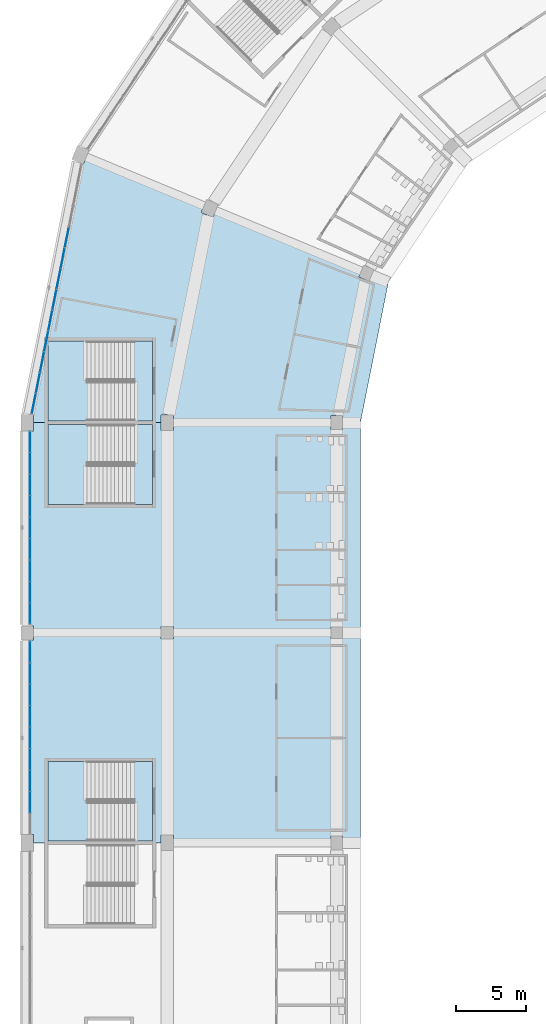
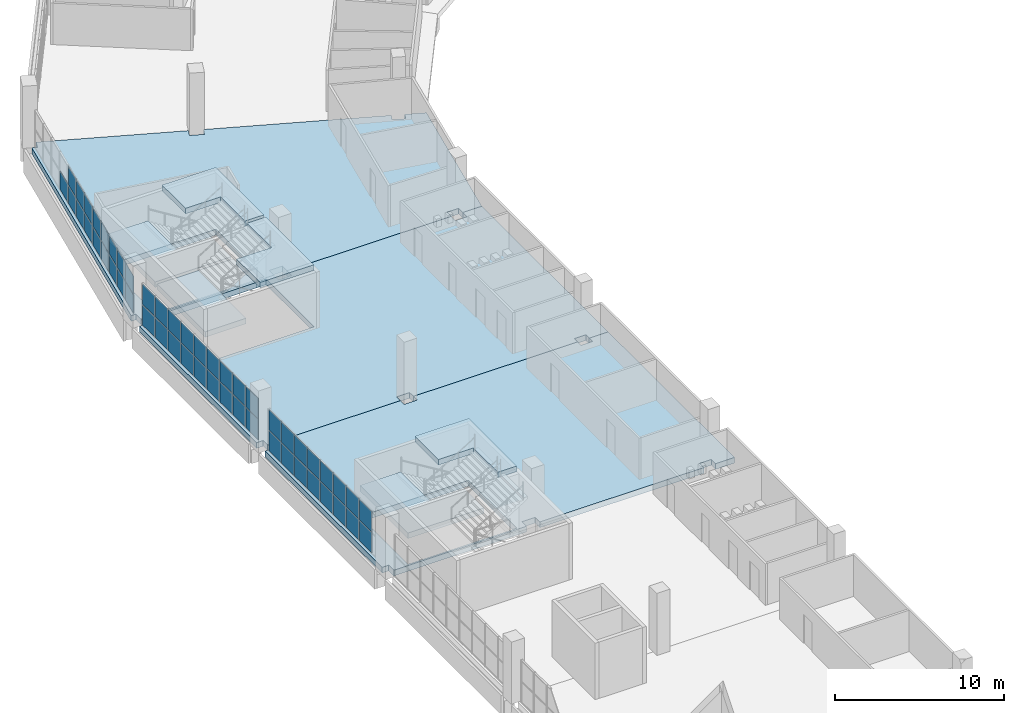
# One storey, part 67 of 199: 51 plates, 9 slabs, 6 elements without a shape of their own.
"""IFC4 building model written with IfcOpenShell, lengths in metres."""

import ifcopenshell
import ifcopenshell.guid

model = None  # the IFC model being written
_history = None  # IfcOwnerHistory: only IFC2X3 demands one
_inside = {}  # id of a spatial element -> (the spatial element, [elements in it])
_under = {}  # id of a project, library or spatial element -> (it, [spatial elements below it])
_declared = {}  # id of a project -> (the project, [libraries it declares])
_typed = {}  # id of a type object -> (the type object, [elements of that type])
_made_of = {}  # id of a material, layer set ... -> (it, [elements and type objects made of it])


def new_model(schema):
    """Start an empty IFC model of exactly this schema.

    Asked for "IFC4X3", IfcOpenShell would pick the latest addendum, in which some entities
    have other attributes; the version numbers below select the first issue.
    IFC2X3 requires an IfcOwnerHistory on every rooted entity: one is made here for all.
    """
    global model, _history
    if schema == "IFC4X3":
        model = ifcopenshell.file(schema_version=(4, 3, 0, 0))
    else:
        model = ifcopenshell.file(schema=schema)
    _inside.clear()
    _under.clear()
    _declared.clear()
    _typed.clear()
    _made_of.clear()
    _history = None
    if model.schema == "IFC2X3":
        org = make("IfcOrganization", Name="unknown")
        user = make(
            "IfcPersonAndOrganization",
            ThePerson=make("IfcPerson", FamilyName="unknown"),
            TheOrganization=org,
        )
        app = make(
            "IfcApplication",
            ApplicationDeveloper=org,
            Version="unknown",
            ApplicationFullName="unknown",
            ApplicationIdentifier="unknown",
        )
        _history = make(
            "IfcOwnerHistory",
            OwningUser=user,
            OwningApplication=app,
            ChangeAction="ADDED",
            CreationDate=0,
        )
    return model


def make(cls, **values):
    """One entity of the class cls with the attributes given. An attribute that is None is left unset."""
    return model.create_entity(
        cls, **{name: value for name, value in values.items() if value is not None}
    )


def rooted(cls, **values):
    """An entity with a GlobalId (a new one), such as an element, a storey or a relation."""
    return make(cls, GlobalId=ifcopenshell.guid.new(), OwnerHistory=_history, **values)


def si_unit(unit_type, name, prefix=None):
    """IfcSIUnit, for example si_unit("LENGTHUNIT", "METRE", prefix="MILLI")."""
    return make("IfcSIUnit", UnitType=unit_type, Prefix=prefix, Name=name)


def assignment(units):
    """IfcUnitAssignment: the units of a project."""
    return None if units is None else make("IfcUnitAssignment", Units=units)


def point(xyz):
    """IfcCartesianPoint."""
    return None if xyz is None else make("IfcCartesianPoint", Coordinates=xyz)


def direction(xyz):
    """IfcDirection."""
    return None if xyz is None else make("IfcDirection", DirectionRatios=xyz)


def frame(location, z_axis=None, x_axis=None):
    """IfcAxis2Placement3D, a coordinate frame: its origin and axes. An axis left out is left unset."""
    return make(
        "IfcAxis2Placement3D",
        Location=point(location),
        Axis=direction(z_axis),
        RefDirection=direction(x_axis),
    )


def frame_2d(location, x_axis=None):
    """IfcAxis2Placement2D, a coordinate frame in the plane: its origin and x axis."""
    return make(
        "IfcAxis2Placement2D", Location=point(location), RefDirection=direction(x_axis)
    )


def origin():
    """The frame at (0, 0, 0) with its axes left unset."""
    return frame((0.0, 0.0, 0.0))


def origin_2d():
    """The frame at (0, 0) in the plane with its x axis left unset."""
    return frame_2d((0.0, 0.0))


def place(relative_to, where):
    """IfcLocalPlacement: puts the frame where relative to a parent placement (None: the world)."""
    return make(
        "IfcLocalPlacement", PlacementRelTo=relative_to, RelativePlacement=where
    )


def context(
    kind, dimensions, precision=None, world=None, true_north=None, identifier=None
):
    """IfcGeometricRepresentationContext, for example the 3D "Model" context."""
    return make(
        "IfcGeometricRepresentationContext",
        ContextIdentifier=identifier,
        ContextType=kind,
        CoordinateSpaceDimension=dimensions,
        Precision=precision,
        WorldCoordinateSystem=world,
        TrueNorth=true_north,
    )


def subcontext(parent, identifier, kind, view, scale=None):
    """IfcGeometricRepresentationSubContext, for example "Body" below "Model"."""
    return make(
        "IfcGeometricRepresentationSubContext",
        ContextIdentifier=identifier,
        ContextType=kind,
        ParentContext=parent,
        TargetScale=scale,
        TargetView=view,
    )


def project(units=None, contexts=None):
    """IfcProject with its units and contexts."""
    return rooted(
        "IfcProject",
        Name="project",
        RepresentationContexts=contexts,
        UnitsInContext=assignment(units),
    )


def spatial(cls, under=None, at=None, **own):
    """A site, building, storey or space (cls), placed at a placement, below another one or the project."""
    s = rooted(cls, ObjectPlacement=at, **own)
    if under is not None:
        _under.setdefault(under.id(), (under, []))[1].append(s)
    return s


def polyline(points):
    """IfcPolyline through the points."""
    return make("IfcPolyline", Points=[point(p) for p in points])


def profile(cls, at=None, kind="AREA", **sizes):
    """A parametric profile (cls). Its sizes go by their IFC names, for example OverallWidth=200.0."""
    return make(cls, ProfileType=kind, Position=at, **sizes)


def rectangle(**sizes):
    """IfcRectangleProfileDef."""
    return profile("IfcRectangleProfileDef", **sizes)


def outline(outer, holes=None, kind="AREA"):
    """IfcArbitraryClosedProfileDef: a profile drawn as a closed curve; with holes, ...WithVoids."""
    if holes is None:
        return make("IfcArbitraryClosedProfileDef", ProfileType=kind, OuterCurve=outer)
    return make(
        "IfcArbitraryProfileDefWithVoids",
        ProfileType=kind,
        OuterCurve=outer,
        InnerCurves=holes,
    )


def extrude(swept, where, along, depth):
    """IfcExtrudedAreaSolid: the profile swept, set in the frame where, extruded along a direction by depth."""
    return make(
        "IfcExtrudedAreaSolid",
        SweptArea=swept,
        Position=where,
        ExtrudedDirection=direction(along),
        Depth=depth,
    )


def shape(context_of_items, identifier, shape_type, items):
    """IfcShapeRepresentation: the items that make up one representation, for example the "Body"."""
    return make(
        "IfcShapeRepresentation",
        ContextOfItems=context_of_items,
        RepresentationIdentifier=identifier,
        RepresentationType=shape_type,
        Items=items,
    )


def material(Name=None, Category=None):
    """IfcMaterial."""
    return make("IfcMaterial", Name=Name, Category=Category)


def layer(
    of_material, thickness, ventilated=None, Name=None, Category=None, Priority=None
):
    """IfcMaterialLayer: one layer of a wall or slab, of a material (None: an air gap)."""
    return make(
        "IfcMaterialLayer",
        Material=of_material,
        LayerThickness=thickness,
        IsVentilated=ventilated,
        Name=Name,
        Category=Category,
        Priority=Priority,
    )


def layer_set(layers, Name=None):
    """IfcMaterialLayerSet."""
    return make("IfcMaterialLayerSet", MaterialLayers=layers, LayerSetName=Name)


def made_of(thing, what):
    """Note that an element or type object is made of a material, layer set ...; save() writes the relation."""
    if what is not None:
        _made_of.setdefault(what.id(), (what, []))[1].append(thing)
    return thing


def type_object(cls, material=None, **own):
    """A type object (cls), such as IfcWallType, which elements share."""
    return made_of(rooted(cls, **own), material)


def element(
    cls,
    number,
    at=None,
    inside=None,
    cuts=None,
    type_object=None,
    material=None,
    context=None,
    identifier="Body",
    shape_type=None,
    held_by="IfcProductDefinitionShape",
    body=None,
    shapes=None,
    **own,
):
    """One element of the class cls, such as IfcWall. Its Tag is "e" and its number.

    at: its placement. inside: the storey or other place that contains it. cuts: it is an
    opening in that element (IfcRelVoidsElement). A single representation is given by context,
    identifier, shape_type and body (its items); several are given by shapes. held_by: the class
    of the entity that holds the representations. save() writes the other relations.
    """
    e = rooted(cls, Tag="e%d" % number, ObjectPlacement=at, **own)
    if body is not None:
        shapes = [shape(context, identifier, shape_type, body)]
    if shapes is not None:
        e.Representation = make(held_by, Representations=shapes)
    if inside is not None:
        _inside.setdefault(inside.id(), (inside, []))[1].append(e)
    if cuts is not None:
        rooted(
            "IfcRelVoidsElement", RelatingBuildingElement=cuts, RelatedOpeningElement=e
        )
    if type_object is not None:
        _typed.setdefault(type_object.id(), (type_object, []))[1].append(e)
    return made_of(e, material)


def aggregate(whole, parts):
    """IfcRelAggregates: a whole, such as a stair, and the parts it consists of."""
    return rooted("IfcRelAggregates", RelatingObject=whole, RelatedObjects=parts)


def save(model, path):
    """Write the relations noted so far, then the file.

    IfcRelAggregates (storeys below a building ...), IfcRelContainedInSpatialStructure (elements
    in a storey), IfcRelDefinesByType, IfcRelAssociatesMaterial and IfcRelDeclares: one each for
    every whole, place, type object, material and project.
    """
    for whole, parts in _under.values():
        aggregate(whole, parts)
    for where, things in _inside.values():
        rooted(
            "IfcRelContainedInSpatialStructure",
            RelatedElements=things,
            RelatingStructure=where,
        )
    for kind, things in _typed.values():
        rooted("IfcRelDefinesByType", RelatedObjects=things, RelatingType=kind)
    for what, things in _made_of.values():
        rooted("IfcRelAssociatesMaterial", RelatedObjects=things, RelatingMaterial=what)
    for by, libraries in _declared.values():
        rooted("IfcRelDeclares", RelatingContext=by, RelatedDefinitions=libraries)
    model.write(path)


model = new_model("IFC4")

# Units and contexts
model_context = context("Model", 3, precision=1e-05, world=origin(), true_north=direction((0.0, 1.0)))
body_context = subcontext(model_context, "Body", "Model", "MODEL_VIEW")
ifc_project = project(units=[si_unit("LENGTHUNIT", "METRE"), si_unit("AREAUNIT", "SQUARE_METRE"), si_unit("VOLUMEUNIT", "CUBIC_METRE"), si_unit("PLANEANGLEUNIT", "RADIAN"), si_unit("MASSUNIT", "GRAM", prefix="KILO")], contexts=[model_context])

# Site, building, storey
site_placement = place(None, origin())
site = spatial("IfcSite", under=ifc_project, at=site_placement, CompositionType="ELEMENT")
building_placement = place(site_placement, origin())
building = spatial("IfcBuilding", under=site, at=building_placement, Name="Ogive Plaza Stadium", CompositionType="ELEMENT")
storey_placement = place(building_placement, frame((0.0, 0.0, 4.5)))
storey = spatial("IfcBuildingStorey", under=building, at=storey_placement, Name="L01", CompositionType="ELEMENT", Elevation=4.5)

# Curtain wall, plates
ifc_material_1 = material(Name="Bronze-anodised aluminium with laminated glass", Category="aluminium")
curtain_wall_type = type_object("IfcCurtainWallType", Name="Lancet curtain wall", PredefinedType="NOTDEFINED", material=ifc_material_1)
curtain_wall_1_placement = place(storey_placement, origin())
curtain_wall_1 = element("IfcCurtainWall", 1, at=curtain_wall_1_placement, inside=storey, type_object=curtain_wall_type, Name="CURTAIN WALL B26 L01", PredefinedType="NOTDEFINED")
ifc_material_2 = material(Name="Laminated glass", Category="glass")
ifc_layer_1 = layer(ifc_material_2, 0.028076171875)
ifc_layer_set_1 = layer_set([ifc_layer_1], Name="Laminated glass panel 28")
plate_type = type_object("IfcPlateType", Name="Laminated glass panel 28", PredefinedType="CURTAIN_PANEL", material=ifc_layer_set_1)
plate_1_placement = place(storey_placement, frame((-83.800048828125, 25.39990234375, 0.0498046875), z_axis=(0.0, 0.0, 1.0), x_axis=(0.0, 1.0, 0.0)))
plate_1 = element("IfcPlate", 2, at=plate_1_placement, type_object=plate_type, Name="CW-B26-L01 panel 2.1", PredefinedType="CURTAIN_PANEL", context=body_context, shape_type="SweptSolid", body=[
    extrude(rectangle(XDim=1.4833984375, YDim=0.028076171875, at=origin_2d()), origin(), (0.0, 0.0, 1.0), 1.469970703125),
])
plate_2_placement = place(storey_placement, frame((-83.800048828125, 25.39990234375, 1.56982421875), z_axis=(0.0, 0.0, 1.0), x_axis=(0.0, 1.0, 0.0)))
plate_2 = element("IfcPlate", 3, at=plate_2_placement, type_object=plate_type, Name="CW-B26-L01 panel 2.2", PredefinedType="CURTAIN_PANEL", context=body_context, shape_type="SweptSolid", body=[
    extrude(rectangle(XDim=1.4833984375, YDim=0.028076171875, at=origin_2d()), origin(), (0.0, 0.0, 1.0), 1.469970703125),
])
plate_3_placement = place(storey_placement, frame((-83.800048828125, 26.933349609375, 0.0498046875), z_axis=(0.0, 0.0, 1.0), x_axis=(0.0, 1.0, 0.0)))
plate_3 = element("IfcPlate", 4, at=plate_3_placement, type_object=plate_type, Name="CW-B26-L01 panel 3.1", PredefinedType="CURTAIN_PANEL", context=body_context, shape_type="SweptSolid", body=[
    extrude(rectangle(XDim=1.4833984375, YDim=0.028076171875, at=origin_2d()), origin(), (0.0, 0.0, 1.0), 1.469970703125),
])
plate_4_placement = place(storey_placement, frame((-83.800048828125, 26.933349609375, 1.56982421875), z_axis=(0.0, 0.0, 1.0), x_axis=(0.0, 1.0, 0.0)))
plate_4 = element("IfcPlate", 5, at=plate_4_placement, type_object=plate_type, Name="CW-B26-L01 panel 3.2", PredefinedType="CURTAIN_PANEL", context=body_context, shape_type="SweptSolid", body=[
    extrude(rectangle(XDim=1.4833984375, YDim=0.028076171875, at=origin_2d()), origin(), (0.0, 0.0, 1.0), 1.469970703125),
])
plate_5_placement = place(storey_placement, frame((-83.800048828125, 28.466552734375, 0.0498046875), z_axis=(0.0, 0.0, 1.0), x_axis=(0.0, 1.0, 0.0)))
plate_5 = element("IfcPlate", 6, at=plate_5_placement, type_object=plate_type, Name="CW-B26-L01 panel 4.1", PredefinedType="CURTAIN_PANEL", context=body_context, shape_type="SweptSolid", body=[
    extrude(rectangle(XDim=1.4833984375, YDim=0.028076171875, at=origin_2d()), origin(), (0.0, 0.0, 1.0), 1.469970703125),
])
plate_6_placement = place(storey_placement, frame((-83.800048828125, 28.466552734375, 1.56982421875), z_axis=(0.0, 0.0, 1.0), x_axis=(0.0, 1.0, 0.0)))
plate_6 = element("IfcPlate", 7, at=plate_6_placement, type_object=plate_type, Name="CW-B26-L01 panel 4.2", PredefinedType="CURTAIN_PANEL", context=body_context, shape_type="SweptSolid", body=[
    extrude(rectangle(XDim=1.4833984375, YDim=0.028076171875, at=origin_2d()), origin(), (0.0, 0.0, 1.0), 1.469970703125),
])
plate_7_placement = place(storey_placement, frame((-83.800048828125, 30.0, 0.0498046875), z_axis=(0.0, 0.0, 1.0), x_axis=(0.0, 1.0, 0.0)))
plate_7 = element("IfcPlate", 8, at=plate_7_placement, type_object=plate_type, Name="CW-B26-L01 panel 5.1", PredefinedType="CURTAIN_PANEL", context=body_context, shape_type="SweptSolid", body=[
    extrude(rectangle(XDim=1.4833984375, YDim=0.028076171875, at=origin_2d()), origin(), (0.0, 0.0, 1.0), 1.469970703125),
])
plate_8_placement = place(storey_placement, frame((-83.800048828125, 30.0, 1.56982421875), z_axis=(0.0, 0.0, 1.0), x_axis=(0.0, 1.0, 0.0)))
plate_8 = element("IfcPlate", 9, at=plate_8_placement, type_object=plate_type, Name="CW-B26-L01 panel 5.2", PredefinedType="CURTAIN_PANEL", context=body_context, shape_type="SweptSolid", body=[
    extrude(rectangle(XDim=1.4833984375, YDim=0.028076171875, at=origin_2d()), origin(), (0.0, 0.0, 1.0), 1.469970703125),
])
plate_9_placement = place(storey_placement, frame((-83.800048828125, 31.533447265625, 0.0498046875), z_axis=(0.0, 0.0, 1.0), x_axis=(0.0, 1.0, 0.0)))
plate_9 = element("IfcPlate", 10, at=plate_9_placement, type_object=plate_type, Name="CW-B26-L01 panel 6.1", PredefinedType="CURTAIN_PANEL", context=body_context, shape_type="SweptSolid", body=[
    extrude(rectangle(XDim=1.4833984375, YDim=0.028076171875, at=origin_2d()), origin(), (0.0, 0.0, 1.0), 1.469970703125),
])
plate_10_placement = place(storey_placement, frame((-83.800048828125, 31.533447265625, 1.56982421875), z_axis=(0.0, 0.0, 1.0), x_axis=(0.0, 1.0, 0.0)))
plate_10 = element("IfcPlate", 11, at=plate_10_placement, type_object=plate_type, Name="CW-B26-L01 panel 6.2", PredefinedType="CURTAIN_PANEL", context=body_context, shape_type="SweptSolid", body=[
    extrude(rectangle(XDim=1.4833984375, YDim=0.028076171875, at=origin_2d()), origin(), (0.0, 0.0, 1.0), 1.469970703125),
])
plate_11_placement = place(storey_placement, frame((-83.800048828125, 33.066650390625, 0.0498046875), z_axis=(0.0, 0.0, 1.0), x_axis=(0.0, 1.0, 0.0)))
plate_11 = element("IfcPlate", 12, at=plate_11_placement, type_object=plate_type, Name="CW-B26-L01 panel 7.1", PredefinedType="CURTAIN_PANEL", context=body_context, shape_type="SweptSolid", body=[
    extrude(rectangle(XDim=1.4833984375, YDim=0.028076171875, at=origin_2d()), origin(), (0.0, 0.0, 1.0), 1.469970703125),
])
plate_12_placement = place(storey_placement, frame((-83.800048828125, 33.066650390625, 1.56982421875), z_axis=(0.0, 0.0, 1.0), x_axis=(0.0, 1.0, 0.0)))
plate_12 = element("IfcPlate", 13, at=plate_12_placement, type_object=plate_type, Name="CW-B26-L01 panel 7.2", PredefinedType="CURTAIN_PANEL", context=body_context, shape_type="SweptSolid", body=[
    extrude(rectangle(XDim=1.4833984375, YDim=0.028076171875, at=origin_2d()), origin(), (0.0, 0.0, 1.0), 1.469970703125),
])
plate_13_placement = place(storey_placement, frame((-83.800048828125, 34.60009765625, 0.0498046875), z_axis=(0.0, 0.0, 1.0), x_axis=(0.0, 1.0, 0.0)))
plate_13 = element("IfcPlate", 14, at=plate_13_placement, type_object=plate_type, Name="CW-B26-L01 panel 8.1", PredefinedType="CURTAIN_PANEL", context=body_context, shape_type="SweptSolid", body=[
    extrude(rectangle(XDim=1.4833984375, YDim=0.028076171875, at=origin_2d()), origin(), (0.0, 0.0, 1.0), 1.469970703125),
])
plate_14_placement = place(storey_placement, frame((-83.800048828125, 34.60009765625, 1.56982421875), z_axis=(0.0, 0.0, 1.0), x_axis=(0.0, 1.0, 0.0)))
plate_14 = element("IfcPlate", 15, at=plate_14_placement, type_object=plate_type, Name="CW-B26-L01 panel 8.2", PredefinedType="CURTAIN_PANEL", context=body_context, shape_type="SweptSolid", body=[
    extrude(rectangle(XDim=1.4833984375, YDim=0.028076171875, at=origin_2d()), origin(), (0.0, 0.0, 1.0), 1.469970703125),
])
plate_15_placement = place(storey_placement, frame((-83.800048828125, 36.120849609375, 0.0498046875), z_axis=(0.0, 0.0, 1.0), x_axis=(0.0, 1.0, 0.0)))
plate_15 = element("IfcPlate", 16, at=plate_15_placement, type_object=plate_type, Name="CW-B26-L01 panel 9.1", PredefinedType="CURTAIN_PANEL", context=body_context, shape_type="SweptSolid", body=[
    extrude(rectangle(XDim=1.458251953125, YDim=0.028076171875, at=origin_2d()), origin(), (0.0, 0.0, 1.0), 1.469970703125),
])
plate_16_placement = place(storey_placement, frame((-83.800048828125, 36.120849609375, 1.56982421875), z_axis=(0.0, 0.0, 1.0), x_axis=(0.0, 1.0, 0.0)))
plate_16 = element("IfcPlate", 17, at=plate_16_placement, type_object=plate_type, Name="CW-B26-L01 panel 9.2", PredefinedType="CURTAIN_PANEL", context=body_context, shape_type="SweptSolid", body=[
    extrude(rectangle(XDim=1.458251953125, YDim=0.028076171875, at=origin_2d()), origin(), (0.0, 0.0, 1.0), 1.469970703125),
])
aggregate(curtain_wall_1, [plate_1, plate_2, plate_3, plate_4, plate_5, plate_6, plate_7, plate_8, plate_9, plate_10, plate_11, plate_12, plate_13, plate_14, plate_15, plate_16])

curtain_wall_2_placement = place(storey_placement, origin())
curtain_wall_2 = element("IfcCurtainWall", 18, at=curtain_wall_2_placement, inside=storey, type_object=curtain_wall_type, Name="CURTAIN WALL B27 L01", PredefinedType="NOTDEFINED")
plate_17_placement = place(storey_placement, frame((-83.800048828125, 38.879150390625, 0.0498046875), z_axis=(0.0, 0.0, 1.0), x_axis=(0.0, 1.0, 0.0)))
plate_17 = element("IfcPlate", 19, at=plate_17_placement, type_object=plate_type, Name="CW-B27-L01 panel 1.1", PredefinedType="CURTAIN_PANEL", context=body_context, shape_type="SweptSolid", body=[
    extrude(rectangle(XDim=1.458251953125, YDim=0.028076171875, at=origin_2d()), origin(), (0.0, 0.0, 1.0), 1.469970703125),
])
plate_18_placement = place(storey_placement, frame((-83.800048828125, 38.879150390625, 1.56982421875), z_axis=(0.0, 0.0, 1.0), x_axis=(0.0, 1.0, 0.0)))
plate_18 = element("IfcPlate", 20, at=plate_18_placement, type_object=plate_type, Name="CW-B27-L01 panel 1.2", PredefinedType="CURTAIN_PANEL", context=body_context, shape_type="SweptSolid", body=[
    extrude(rectangle(XDim=1.458251953125, YDim=0.028076171875, at=origin_2d()), origin(), (0.0, 0.0, 1.0), 1.469970703125),
])
plate_19_placement = place(storey_placement, frame((-83.800048828125, 40.39990234375, 0.0498046875), z_axis=(0.0, 0.0, 1.0), x_axis=(0.0, 1.0, 0.0)))
plate_19 = element("IfcPlate", 21, at=plate_19_placement, type_object=plate_type, Name="CW-B27-L01 panel 2.1", PredefinedType="CURTAIN_PANEL", context=body_context, shape_type="SweptSolid", body=[
    extrude(rectangle(XDim=1.4833984375, YDim=0.028076171875, at=origin_2d()), origin(), (0.0, 0.0, 1.0), 1.469970703125),
])
plate_20_placement = place(storey_placement, frame((-83.800048828125, 40.39990234375, 1.56982421875), z_axis=(0.0, 0.0, 1.0), x_axis=(0.0, 1.0, 0.0)))
plate_20 = element("IfcPlate", 22, at=plate_20_placement, type_object=plate_type, Name="CW-B27-L01 panel 2.2", PredefinedType="CURTAIN_PANEL", context=body_context, shape_type="SweptSolid", body=[
    extrude(rectangle(XDim=1.4833984375, YDim=0.028076171875, at=origin_2d()), origin(), (0.0, 0.0, 1.0), 1.469970703125),
])
plate_21_placement = place(storey_placement, frame((-83.800048828125, 41.933349609375, 0.0498046875), z_axis=(0.0, 0.0, 1.0), x_axis=(0.0, 1.0, 0.0)))
plate_21 = element("IfcPlate", 23, at=plate_21_placement, type_object=plate_type, Name="CW-B27-L01 panel 3.1", PredefinedType="CURTAIN_PANEL", context=body_context, shape_type="SweptSolid", body=[
    extrude(rectangle(XDim=1.4833984375, YDim=0.028076171875, at=origin_2d()), origin(), (0.0, 0.0, 1.0), 1.469970703125),
])
plate_22_placement = place(storey_placement, frame((-83.800048828125, 41.933349609375, 1.56982421875), z_axis=(0.0, 0.0, 1.0), x_axis=(0.0, 1.0, 0.0)))
plate_22 = element("IfcPlate", 24, at=plate_22_placement, type_object=plate_type, Name="CW-B27-L01 panel 3.2", PredefinedType="CURTAIN_PANEL", context=body_context, shape_type="SweptSolid", body=[
    extrude(rectangle(XDim=1.4833984375, YDim=0.028076171875, at=origin_2d()), origin(), (0.0, 0.0, 1.0), 1.469970703125),
])
plate_23_placement = place(storey_placement, frame((-83.800048828125, 43.466552734375, 0.0498046875), z_axis=(0.0, 0.0, 1.0), x_axis=(0.0, 1.0, 0.0)))
plate_23 = element("IfcPlate", 25, at=plate_23_placement, type_object=plate_type, Name="CW-B27-L01 panel 4.1", PredefinedType="CURTAIN_PANEL", context=body_context, shape_type="SweptSolid", body=[
    extrude(rectangle(XDim=1.4833984375, YDim=0.028076171875, at=origin_2d()), origin(), (0.0, 0.0, 1.0), 1.469970703125),
])
plate_24_placement = place(storey_placement, frame((-83.800048828125, 43.466552734375, 1.56982421875), z_axis=(0.0, 0.0, 1.0), x_axis=(0.0, 1.0, 0.0)))
plate_24 = element("IfcPlate", 26, at=plate_24_placement, type_object=plate_type, Name="CW-B27-L01 panel 4.2", PredefinedType="CURTAIN_PANEL", context=body_context, shape_type="SweptSolid", body=[
    extrude(rectangle(XDim=1.4833984375, YDim=0.028076171875, at=origin_2d()), origin(), (0.0, 0.0, 1.0), 1.469970703125),
])
plate_25_placement = place(storey_placement, frame((-83.800048828125, 45.0, 0.0498046875), z_axis=(0.0, 0.0, 1.0), x_axis=(0.0, 1.0, 0.0)))
plate_25 = element("IfcPlate", 27, at=plate_25_placement, type_object=plate_type, Name="CW-B27-L01 panel 5.1", PredefinedType="CURTAIN_PANEL", context=body_context, shape_type="SweptSolid", body=[
    extrude(rectangle(XDim=1.4833984375, YDim=0.028076171875, at=origin_2d()), origin(), (0.0, 0.0, 1.0), 1.469970703125),
])
plate_26_placement = place(storey_placement, frame((-83.800048828125, 45.0, 1.56982421875), z_axis=(0.0, 0.0, 1.0), x_axis=(0.0, 1.0, 0.0)))
plate_26 = element("IfcPlate", 28, at=plate_26_placement, type_object=plate_type, Name="CW-B27-L01 panel 5.2", PredefinedType="CURTAIN_PANEL", context=body_context, shape_type="SweptSolid", body=[
    extrude(rectangle(XDim=1.4833984375, YDim=0.028076171875, at=origin_2d()), origin(), (0.0, 0.0, 1.0), 1.469970703125),
])
plate_27_placement = place(storey_placement, frame((-83.800048828125, 46.533447265625, 0.0498046875), z_axis=(0.0, 0.0, 1.0), x_axis=(0.0, 1.0, 0.0)))
plate_27 = element("IfcPlate", 29, at=plate_27_placement, type_object=plate_type, Name="CW-B27-L01 panel 6.1", PredefinedType="CURTAIN_PANEL", context=body_context, shape_type="SweptSolid", body=[
    extrude(rectangle(XDim=1.4833984375, YDim=0.028076171875, at=origin_2d()), origin(), (0.0, 0.0, 1.0), 1.469970703125),
])
plate_28_placement = place(storey_placement, frame((-83.800048828125, 46.533447265625, 1.56982421875), z_axis=(0.0, 0.0, 1.0), x_axis=(0.0, 1.0, 0.0)))
plate_28 = element("IfcPlate", 30, at=plate_28_placement, type_object=plate_type, Name="CW-B27-L01 panel 6.2", PredefinedType="CURTAIN_PANEL", context=body_context, shape_type="SweptSolid", body=[
    extrude(rectangle(XDim=1.4833984375, YDim=0.028076171875, at=origin_2d()), origin(), (0.0, 0.0, 1.0), 1.469970703125),
])
plate_29_placement = place(storey_placement, frame((-83.800048828125, 48.066650390625, 0.0498046875), z_axis=(0.0, 0.0, 1.0), x_axis=(0.0, 1.0, 0.0)))
plate_29 = element("IfcPlate", 31, at=plate_29_placement, type_object=plate_type, Name="CW-B27-L01 panel 7.1", PredefinedType="CURTAIN_PANEL", context=body_context, shape_type="SweptSolid", body=[
    extrude(rectangle(XDim=1.4833984375, YDim=0.028076171875, at=origin_2d()), origin(), (0.0, 0.0, 1.0), 1.469970703125),
])
plate_30_placement = place(storey_placement, frame((-83.800048828125, 48.066650390625, 1.56982421875), z_axis=(0.0, 0.0, 1.0), x_axis=(0.0, 1.0, 0.0)))
plate_30 = element("IfcPlate", 32, at=plate_30_placement, type_object=plate_type, Name="CW-B27-L01 panel 7.2", PredefinedType="CURTAIN_PANEL", context=body_context, shape_type="SweptSolid", body=[
    extrude(rectangle(XDim=1.4833984375, YDim=0.028076171875, at=origin_2d()), origin(), (0.0, 0.0, 1.0), 1.469970703125),
])
plate_31_placement = place(storey_placement, frame((-83.800048828125, 49.60009765625, 0.0498046875), z_axis=(0.0, 0.0, 1.0), x_axis=(0.0, 1.0, 0.0)))
plate_31 = element("IfcPlate", 33, at=plate_31_placement, type_object=plate_type, Name="CW-B27-L01 panel 8.1", PredefinedType="CURTAIN_PANEL", context=body_context, shape_type="SweptSolid", body=[
    extrude(rectangle(XDim=1.4833984375, YDim=0.028076171875, at=origin_2d()), origin(), (0.0, 0.0, 1.0), 1.469970703125),
])
plate_32_placement = place(storey_placement, frame((-83.800048828125, 49.60009765625, 1.56982421875), z_axis=(0.0, 0.0, 1.0), x_axis=(0.0, 1.0, 0.0)))
plate_32 = element("IfcPlate", 34, at=plate_32_placement, type_object=plate_type, Name="CW-B27-L01 panel 8.2", PredefinedType="CURTAIN_PANEL", context=body_context, shape_type="SweptSolid", body=[
    extrude(rectangle(XDim=1.4833984375, YDim=0.028076171875, at=origin_2d()), origin(), (0.0, 0.0, 1.0), 1.469970703125),
])
plate_33_placement = place(storey_placement, frame((-83.800048828125, 51.120849609375, 0.0498046875), z_axis=(0.0, 0.0, 1.0), x_axis=(0.0, 1.0, 0.0)))
plate_33 = element("IfcPlate", 35, at=plate_33_placement, type_object=plate_type, Name="CW-B27-L01 panel 9.1", PredefinedType="CURTAIN_PANEL", context=body_context, shape_type="SweptSolid", body=[
    extrude(rectangle(XDim=1.458251953125, YDim=0.028076171875, at=origin_2d()), origin(), (0.0, 0.0, 1.0), 1.469970703125),
])
plate_34_placement = place(storey_placement, frame((-83.800048828125, 51.120849609375, 1.56982421875), z_axis=(0.0, 0.0, 1.0), x_axis=(0.0, 1.0, 0.0)))
plate_34 = element("IfcPlate", 36, at=plate_34_placement, type_object=plate_type, Name="CW-B27-L01 panel 9.2", PredefinedType="CURTAIN_PANEL", context=body_context, shape_type="SweptSolid", body=[
    extrude(rectangle(XDim=1.458251953125, YDim=0.028076171875, at=origin_2d()), origin(), (0.0, 0.0, 1.0), 1.469970703125),
])
aggregate(curtain_wall_2, [plate_17, plate_18, plate_19, plate_20, plate_21, plate_22, plate_23, plate_24, plate_25, plate_26, plate_27, plate_28, plate_29, plate_30, plate_31, plate_32, plate_33, plate_34])

curtain_wall_3_placement = place(storey_placement, origin())
curtain_wall_3 = element("IfcCurtainWall", 37, at=curtain_wall_3_placement, inside=storey, type_object=curtain_wall_type, Name="CURTAIN WALL B28 L01", PredefinedType="NOTDEFINED")
plate_35_placement = place(storey_placement, frame((-83.522705078125, 53.874267578125, 0.0498046875), z_axis=(0.0, 0.0, 1.0), x_axis=(0.195090322016, 0.980785280403, 0.0)))
plate_35 = element("IfcPlate", 38, at=plate_35_placement, type_object=plate_type, Name="CW-B28-L01 panel 1.1", PredefinedType="CURTAIN_PANEL", context=body_context, shape_type="SweptSolid", body=[
    extrude(rectangle(XDim=1.43896484375, YDim=0.028076171875, at=origin_2d()), origin(), (0.0, 0.0, 1.0), 1.320068359375),
])
plate_36_placement = place(storey_placement, frame((-83.522705078125, 53.874267578125, 1.419921875), z_axis=(0.0, 0.0, 1.0), x_axis=(0.195090322016, 0.980785280403, 0.0)))
plate_36 = element("IfcPlate", 39, at=plate_36_placement, type_object=plate_type, Name="CW-B28-L01 panel 1.2", PredefinedType="CURTAIN_PANEL", context=body_context, shape_type="SweptSolid", body=[
    extrude(rectangle(XDim=1.43896484375, YDim=0.028076171875, at=origin_2d()), origin(), (0.0, 0.0, 1.0), 1.320068359375),
])
plate_37_placement = place(storey_placement, frame((-83.229736328125, 55.3466796875, 0.0498046875), z_axis=(0.0, 0.0, 1.0), x_axis=(0.195090322016, 0.980785280403, 0.0)))
plate_37 = element("IfcPlate", 40, at=plate_37_placement, type_object=plate_type, Name="CW-B28-L01 panel 2.1", PredefinedType="CURTAIN_PANEL", context=body_context, shape_type="SweptSolid", body=[
    extrude(rectangle(XDim=1.4638671875, YDim=0.028076171875, at=origin_2d()), origin(), (0.0, 0.0, 1.0), 1.320068359375),
])
plate_38_placement = place(storey_placement, frame((-83.229736328125, 55.3466796875, 1.419921875), z_axis=(0.0, 0.0, 1.0), x_axis=(0.195090322016, 0.980785280403, 0.0)))
plate_38 = element("IfcPlate", 41, at=plate_38_placement, type_object=plate_type, Name="CW-B28-L01 panel 2.2", PredefinedType="CURTAIN_PANEL", context=body_context, shape_type="SweptSolid", body=[
    extrude(rectangle(XDim=1.4638671875, YDim=0.028076171875, at=origin_2d()), origin(), (0.0, 0.0, 1.0), 1.320068359375),
])
plate_39_placement = place(storey_placement, frame((-82.9345703125, 56.831298828125, 0.0498046875), z_axis=(0.0, 0.0, 1.0), x_axis=(0.195090322016, 0.980785280403, 0.0)))
plate_39 = element("IfcPlate", 42, at=plate_39_placement, type_object=plate_type, Name="CW-B28-L01 panel 3.1", PredefinedType="CURTAIN_PANEL", context=body_context, shape_type="SweptSolid", body=[
    extrude(rectangle(XDim=1.4638671875, YDim=0.028076171875, at=origin_2d()), origin(), (0.0, 0.0, 1.0), 1.320068359375),
])
plate_40_placement = place(storey_placement, frame((-82.9345703125, 56.831298828125, 1.419921875), z_axis=(0.0, 0.0, 1.0), x_axis=(0.195090322016, 0.980785280403, 0.0)))
plate_40 = element("IfcPlate", 43, at=plate_40_placement, type_object=plate_type, Name="CW-B28-L01 panel 3.2", PredefinedType="CURTAIN_PANEL", context=body_context, shape_type="SweptSolid", body=[
    extrude(rectangle(XDim=1.4638671875, YDim=0.028076171875, at=origin_2d()), origin(), (0.0, 0.0, 1.0), 1.320068359375),
])
plate_41_placement = place(storey_placement, frame((-82.63916015625, 58.316162109375, 0.0498046875), z_axis=(0.0, 0.0, 1.0), x_axis=(0.195090322016, 0.980785280403, 0.0)))
plate_41 = element("IfcPlate", 44, at=plate_41_placement, type_object=plate_type, Name="CW-B28-L01 panel 4.1", PredefinedType="CURTAIN_PANEL", context=body_context, shape_type="SweptSolid", body=[
    extrude(rectangle(XDim=1.4638671875, YDim=0.028076171875, at=origin_2d()), origin(), (0.0, 0.0, 1.0), 1.320068359375),
])
plate_42_placement = place(storey_placement, frame((-82.63916015625, 58.316162109375, 1.419921875), z_axis=(0.0, 0.0, 1.0), x_axis=(0.195090322016, 0.980785280403, 0.0)))
plate_42 = element("IfcPlate", 45, at=plate_42_placement, type_object=plate_type, Name="CW-B28-L01 panel 4.2", PredefinedType="CURTAIN_PANEL", context=body_context, shape_type="SweptSolid", body=[
    extrude(rectangle(XDim=1.4638671875, YDim=0.028076171875, at=origin_2d()), origin(), (0.0, 0.0, 1.0), 1.320068359375),
])
plate_43_placement = place(storey_placement, frame((-82.34375, 59.801025390625, 0.0498046875), z_axis=(0.0, 0.0, 1.0), x_axis=(0.195090322016, 0.980785280403, 0.0)))
plate_43 = element("IfcPlate", 46, at=plate_43_placement, type_object=plate_type, Name="CW-B28-L01 panel 5.1", PredefinedType="CURTAIN_PANEL", context=body_context, shape_type="SweptSolid", body=[
    extrude(rectangle(XDim=1.4638671875, YDim=0.028076171875, at=origin_2d()), origin(), (0.0, 0.0, 1.0), 1.320068359375),
])
plate_44_placement = place(storey_placement, frame((-82.34375, 59.801025390625, 1.419921875), z_axis=(0.0, 0.0, 1.0), x_axis=(0.195090322016, 0.980785280403, 0.0)))
plate_44 = element("IfcPlate", 47, at=plate_44_placement, type_object=plate_type, Name="CW-B28-L01 panel 5.2", PredefinedType="CURTAIN_PANEL", context=body_context, shape_type="SweptSolid", body=[
    extrude(rectangle(XDim=1.4638671875, YDim=0.028076171875, at=origin_2d()), origin(), (0.0, 0.0, 1.0), 1.320068359375),
])
plate_45_placement = place(storey_placement, frame((-82.048583984375, 61.28564453125, 0.0498046875), z_axis=(0.0, 0.0, 1.0), x_axis=(0.195090322016, 0.980785280403, 0.0)))
plate_45 = element("IfcPlate", 48, at=plate_45_placement, type_object=plate_type, Name="CW-B28-L01 panel 6.1", PredefinedType="CURTAIN_PANEL", context=body_context, shape_type="SweptSolid", body=[
    extrude(rectangle(XDim=1.4638671875, YDim=0.028076171875, at=origin_2d()), origin(), (0.0, 0.0, 1.0), 1.320068359375),
])
plate_46_placement = place(storey_placement, frame((-82.048583984375, 61.28564453125, 1.419921875), z_axis=(0.0, 0.0, 1.0), x_axis=(0.195090322016, 0.980785280403, 0.0)))
plate_46 = element("IfcPlate", 49, at=plate_46_placement, type_object=plate_type, Name="CW-B28-L01 panel 6.2", PredefinedType="CURTAIN_PANEL", context=body_context, shape_type="SweptSolid", body=[
    extrude(rectangle(XDim=1.4638671875, YDim=0.028076171875, at=origin_2d()), origin(), (0.0, 0.0, 1.0), 1.320068359375),
])
plate_47_placement = place(storey_placement, frame((-81.753173828125, 62.7705078125, 0.0498046875), z_axis=(0.0, 0.0, 1.0), x_axis=(0.195090322016, 0.980785280403, 0.0)))
plate_47 = element("IfcPlate", 50, at=plate_47_placement, type_object=plate_type, Name="CW-B28-L01 panel 7.1", PredefinedType="CURTAIN_PANEL", context=body_context, shape_type="SweptSolid", body=[
    extrude(rectangle(XDim=1.4638671875, YDim=0.028076171875, at=origin_2d()), origin(), (0.0, 0.0, 1.0), 1.320068359375),
])
plate_48_placement = place(storey_placement, frame((-81.753173828125, 62.7705078125, 1.419921875), z_axis=(0.0, 0.0, 1.0), x_axis=(0.195090322016, 0.980785280403, 0.0)))
plate_48 = element("IfcPlate", 51, at=plate_48_placement, type_object=plate_type, Name="CW-B28-L01 panel 7.2", PredefinedType="CURTAIN_PANEL", context=body_context, shape_type="SweptSolid", body=[
    extrude(rectangle(XDim=1.4638671875, YDim=0.028076171875, at=origin_2d()), origin(), (0.0, 0.0, 1.0), 1.320068359375),
])
plate_49_placement = place(storey_placement, frame((-81.457763671875, 64.255126953125, 0.0498046875), z_axis=(0.0, 0.0, 1.0), x_axis=(0.195090322016, 0.980785280403, 0.0)))
plate_49 = element("IfcPlate", 52, at=plate_49_placement, type_object=plate_type, Name="CW-B28-L01 panel 8.1", PredefinedType="CURTAIN_PANEL", context=body_context, shape_type="SweptSolid", body=[
    extrude(rectangle(XDim=1.4638671875, YDim=0.028076171875, at=origin_2d()), origin(), (0.0, 0.0, 1.0), 1.320068359375),
])
plate_50_placement = place(storey_placement, frame((-81.457763671875, 64.255126953125, 1.419921875), z_axis=(0.0, 0.0, 1.0), x_axis=(0.195090322016, 0.980785280403, 0.0)))
plate_50 = element("IfcPlate", 53, at=plate_50_placement, type_object=plate_type, Name="CW-B28-L01 panel 8.2", PredefinedType="CURTAIN_PANEL", context=body_context, shape_type="SweptSolid", body=[
    extrude(rectangle(XDim=1.4638671875, YDim=0.028076171875, at=origin_2d()), origin(), (0.0, 0.0, 1.0), 1.320068359375),
])
plate_51_placement = place(storey_placement, frame((-81.16259765625, 65.739990234375, 0.0498046875), z_axis=(0.0, 0.0, 1.0), x_axis=(0.195090322016, 0.980785280403, 0.0)))
plate_51 = element("IfcPlate", 54, at=plate_51_placement, type_object=plate_type, Name="CW-B28-L01 panel 9.1", PredefinedType="CURTAIN_PANEL", context=body_context, shape_type="SweptSolid", body=[
    extrude(rectangle(XDim=1.4638671875, YDim=0.028076171875, at=origin_2d()), origin(), (0.0, 0.0, 1.0), 1.320068359375),
])
aggregate(curtain_wall_3, [plate_35, plate_36, plate_37, plate_38, plate_39, plate_40, plate_41, plate_42, plate_43, plate_44, plate_45, plate_46, plate_47, plate_48, plate_49, plate_50, plate_51])

# Slabs
ifc_material_3 = material(Name="Concrete C40/50", Category="concrete")
ifc_layer_2 = layer(ifc_material_3, 0.409912109375)
ifc_layer_set_2 = layer_set([ifc_layer_2], Name="Concrete C40/50")
slab_type_1 = type_object("IfcSlabType", Name="RC floor slab 410", PredefinedType="FLOOR", material=ifc_layer_set_2)
slab_1_placement = place(storey_placement, frame((0.0, 0.0, -0.409912109375)))
element("IfcSlab", 55, at=slab_1_placement, inside=storey, type_object=slab_type_1, Name="Floor slab L01 B26", PredefinedType="FLOOR", context=body_context, shape_type="SweptSolid", body=[
    extrude(outline(polyline([(-61.5, 37.5), (-61.5, 37.10009765625), (-62.300048828125, 37.10009765625), (-62.300048828125, 37.5), (-73.550048828125, 37.5), (-73.550048828125, 37.050048828125), (-74.449951171875, 37.050048828125), (-74.449951171875, 37.5), (-83.550048828125, 37.5), (-83.550048828125, 37.0), (-84.0, 37.0), (-84.0, 23.10009765625), (-83.550048828125, 23.10009765625), (-83.550048828125, 22.5), (-74.449951171875, 22.5), (-74.449951171875, 23.050048828125), (-73.550048828125, 23.050048828125), (-73.550048828125, 22.5), (-62.300048828125, 22.5), (-62.300048828125, 23.0), (-61.5, 23.0), (-61.5, 22.5), (-60.199951171875, 22.5), (-60.199951171875, 37.5), (-61.5, 37.5)]), holes=[polyline([(-75.050048828125, 22.625), (-75.050048828125, 28.324951171875), (-82.510009765625, 28.324951171875), (-82.510009765625, 22.625), (-75.050048828125, 22.625)])]), origin(), (0.0, 0.0, 1.0), 0.409912109375),
])
slab_2_placement = place(storey_placement, frame((0.0, 0.0, -0.409912109375)))
element("IfcSlab", 56, at=slab_2_placement, inside=storey, type_object=slab_type_1, Name="Floor slab L01 B27", PredefinedType="FLOOR", context=body_context, shape_type="SweptSolid", body=[
    extrude(outline(polyline([(-61.5, 52.5), (-61.5, 52.0), (-62.300048828125, 52.0), (-62.300048828125, 52.5), (-73.550048828125, 52.5), (-73.550048828125, 51.949951171875), (-74.449951171875, 51.949951171875), (-74.449951171875, 52.5), (-83.550048828125, 52.5), (-83.550048828125, 51.89990234375), (-84.0, 51.89990234375), (-84.0, 38.0), (-83.550048828125, 38.0), (-83.550048828125, 37.5), (-74.449951171875, 37.5), (-74.449951171875, 37.949951171875), (-73.550048828125, 37.949951171875), (-73.550048828125, 37.5), (-62.300048828125, 37.5), (-62.300048828125, 37.89990234375), (-61.5, 37.89990234375), (-61.5, 37.5), (-60.199951171875, 37.5), (-60.199951171875, 52.5), (-61.5, 52.5)]), holes=[polyline([(-75.050048828125, 46.675048828125), (-75.050048828125, 52.375), (-82.510009765625, 52.375), (-82.510009765625, 46.675048828125), (-75.050048828125, 46.675048828125)])]), origin(), (0.0, 0.0, 1.0), 0.409912109375),
])
slab_3_placement = place(storey_placement, frame((0.0, 0.0, -0.409912109375)))
element("IfcSlab", 57, at=slab_3_placement, inside=storey, type_object=slab_type_1, Name="Floor slab L01 B28", PredefinedType="FLOOR", context=body_context, shape_type="SweptSolid", body=[
    extrude(outline(polyline([(-59.40673828125, 63.023681640625), (-59.578857421875, 62.608154296875), (-60.318115234375, 62.914306640625), (-60.145751953125, 63.329833984375), (-70.53955078125, 67.635009765625), (-70.730712890625, 67.173095703125), (-71.562255859375, 67.517578125), (-71.370849609375, 67.9794921875), (-79.7783203125, 71.4619140625), (-79.98876953125, 70.953857421875), (-80.303466796875, 71.084228515625), (-83.880615234375, 53.10009765625), (-83.550048828125, 53.10009765625), (-83.550048828125, 52.5), (-74.449951171875, 52.5), (-74.449951171875, 53.050048828125), (-73.550048828125, 53.050048828125), (-73.550048828125, 52.5), (-62.300048828125, 52.5), (-62.300048828125, 53.0), (-61.5, 53.0), (-61.5, 52.5), (-60.199951171875, 52.5), (-58.20556640625, 62.5263671875), (-59.40673828125, 63.023681640625)]), holes=[polyline([(-75.050048828125, 58.324951171875), (-82.510009765625, 58.324951171875), (-82.510009765625, 52.625), (-75.050048828125, 52.625), (-75.050048828125, 58.324951171875)])]), origin(), (0.0, 0.0, 1.0), 0.409912109375),
])

# Stair, slabs
ifc_material_4 = material(Name="Concrete C40/50", Category="concrete")
stair_type = type_object("IfcStairType", Name="Exit stair", PredefinedType="STRAIGHT_RUN_STAIR", material=ifc_material_4)
stair_1_placement = place(storey_placement, origin())
stair_1 = element("IfcStair", 58, at=stair_1_placement, inside=storey, type_object=stair_type, Name="Exit stair ST26A L01 to L02", PredefinedType="STRAIGHT_RUN_STAIR")
ifc_material_5 = material(Name="Concrete C40/50", Category="concrete")
ifc_layer_3 = layer(ifc_material_5, 0.39990234375)
ifc_layer_set_3 = layer_set([ifc_layer_3], Name="Concrete C40/50")
slab_type_2 = type_object("IfcSlabType", Name="Stair landing", PredefinedType="LANDING", material=ifc_layer_set_3)
slab_4_placement = place(storey_placement, frame((0.0, 0.0, 1.85009765625)))
slab_4 = element("IfcSlab", 59, at=slab_4_placement, type_object=slab_type_2, Name="ST26A landing 1", PredefinedType="LANDING", context=body_context, shape_type="SweptSolid", body=[
    extrude(outline(polyline([(-82.510009765625, 22.625), (-82.510009765625, 28.324951171875), (-79.7099609375, 28.324951171875), (-79.7099609375, 25.425048828125), (-77.31005859375, 25.425048828125), (-77.31005859375, 22.625), (-79.7099609375, 22.625), (-82.510009765625, 22.625)])), origin(), (0.0, 0.0, 1.0), 0.39990234375),
])
slab_5_placement = place(storey_placement, frame((0.0, 0.0, 4.10009765625)))
slab_5 = element("IfcSlab", 60, at=slab_5_placement, type_object=slab_type_2, Name="ST26A landing 2", PredefinedType="LANDING", context=body_context, shape_type="SweptSolid", body=[
    extrude(outline(polyline([(-78.75, 25.52490234375), (-78.75, 28.324951171875), (-76.35009765625, 28.324951171875), (-75.050048828125, 28.324951171875), (-75.050048828125, 22.625), (-76.35009765625, 22.625), (-76.35009765625, 25.52490234375), (-78.75, 25.52490234375)])), origin(), (0.0, 0.0, 1.0), 0.39990234375),
])
aggregate(stair_1, [slab_4, slab_5])

stair_2_placement = place(storey_placement, origin())
stair_2 = element("IfcStair", 61, at=stair_2_placement, inside=storey, type_object=stair_type, Name="Exit stair ST28A L01 to L02", PredefinedType="STRAIGHT_RUN_STAIR")
slab_6_placement = place(storey_placement, frame((0.0, 0.0, 1.85009765625)))
slab_6 = element("IfcSlab", 62, at=slab_6_placement, type_object=slab_type_2, Name="ST28A landing 1", PredefinedType="LANDING", context=body_context, shape_type="SweptSolid", body=[
    extrude(outline(polyline([(-82.510009765625, 52.625), (-82.510009765625, 58.324951171875), (-79.7099609375, 58.324951171875), (-79.7099609375, 55.425048828125), (-77.31005859375, 55.425048828125), (-77.31005859375, 52.625), (-79.7099609375, 52.625), (-82.510009765625, 52.625)])), origin(), (0.0, 0.0, 1.0), 0.39990234375),
])
slab_7_placement = place(storey_placement, frame((0.0, 0.0, 4.10009765625)))
slab_7 = element("IfcSlab", 63, at=slab_7_placement, type_object=slab_type_2, Name="ST28A landing 2", PredefinedType="LANDING", context=body_context, shape_type="SweptSolid", body=[
    extrude(outline(polyline([(-78.75, 55.52490234375), (-78.75, 58.324951171875), (-76.35009765625, 58.324951171875), (-75.050048828125, 58.324951171875), (-75.050048828125, 52.625), (-76.35009765625, 52.625), (-76.35009765625, 55.52490234375), (-78.75, 55.52490234375)])), origin(), (0.0, 0.0, 1.0), 0.39990234375),
])
aggregate(stair_2, [slab_6, slab_7])

stair_3_placement = place(storey_placement, origin())
stair_3 = element("IfcStair", 64, at=stair_3_placement, inside=storey, type_object=stair_type, Name="Exit stair ST28B L01 to L02", PredefinedType="STRAIGHT_RUN_STAIR")
slab_8_placement = place(storey_placement, frame((0.0, 0.0, 1.85009765625)))
slab_8 = element("IfcSlab", 65, at=slab_8_placement, type_object=slab_type_2, Name="ST28B landing 1", PredefinedType="LANDING", context=body_context, shape_type="SweptSolid", body=[
    extrude(outline(polyline([(-77.31005859375, 52.375), (-77.31005859375, 49.574951171875), (-79.7099609375, 49.574951171875), (-79.7099609375, 46.675048828125), (-82.510009765625, 46.675048828125), (-82.510009765625, 52.375), (-79.7099609375, 52.375), (-77.31005859375, 52.375)])), origin(), (0.0, 0.0, 1.0), 0.39990234375),
])
slab_9_placement = place(storey_placement, frame((0.0, 0.0, 4.10009765625)))
slab_9 = element("IfcSlab", 66, at=slab_9_placement, type_object=slab_type_2, Name="ST28B landing 2", PredefinedType="LANDING", context=body_context, shape_type="SweptSolid", body=[
    extrude(outline(polyline([(-76.35009765625, 52.375), (-75.050048828125, 52.375), (-75.050048828125, 46.675048828125), (-76.35009765625, 46.675048828125), (-78.75, 46.675048828125), (-78.75, 49.47509765625), (-76.35009765625, 49.47509765625), (-76.35009765625, 52.375)])), origin(), (0.0, 0.0, 1.0), 0.39990234375),
])
aggregate(stair_3, [slab_8, slab_9])

save(model, "model.ifc")
